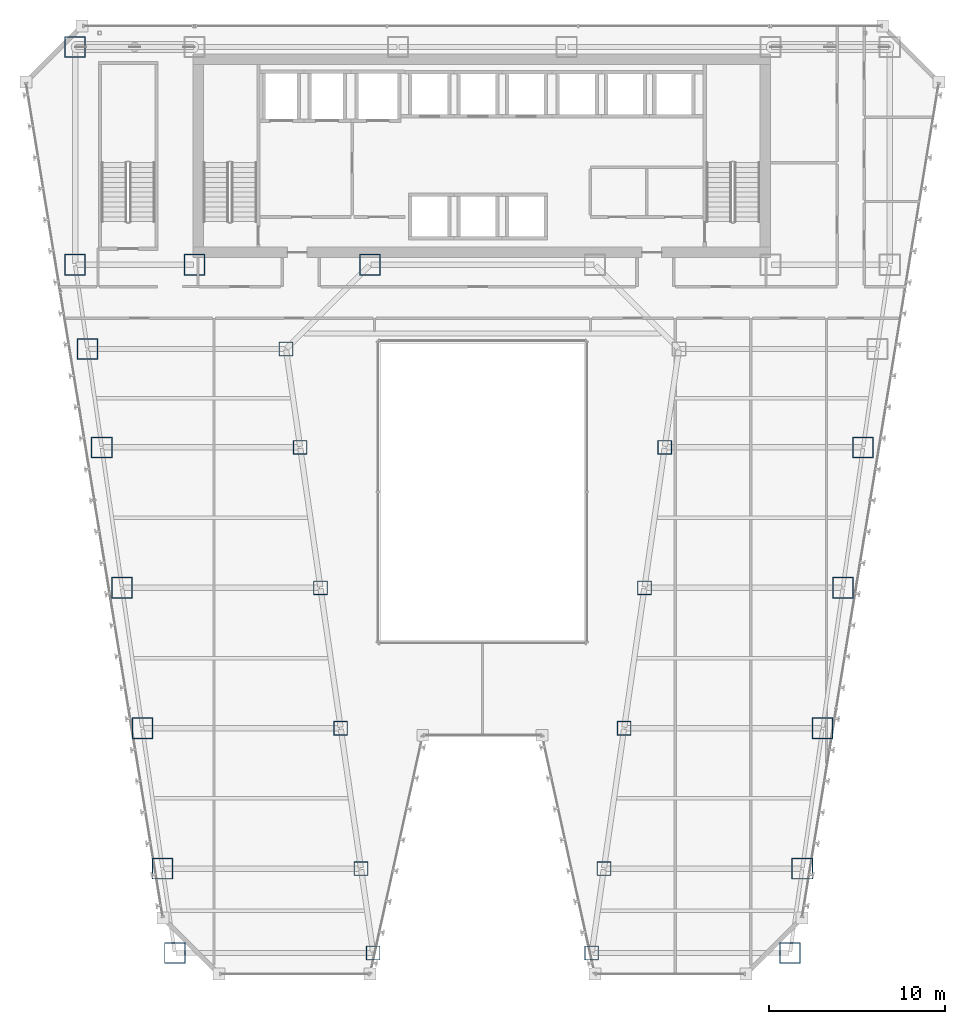
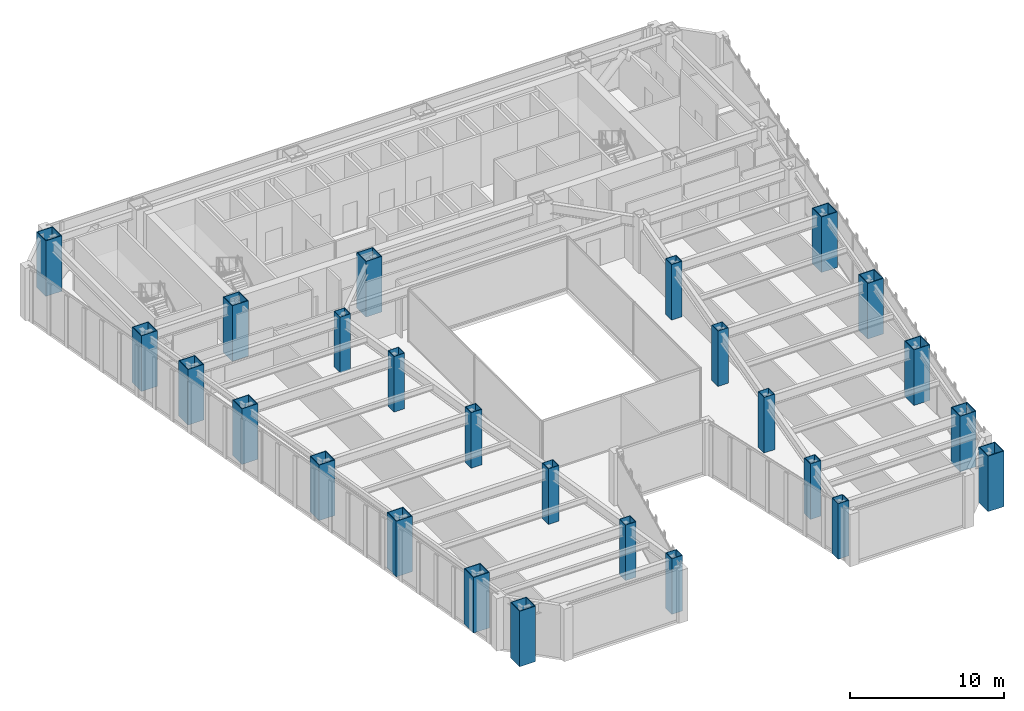
# One storey, part 1 of 47: 26 columns.
"""IFC4 building model written with IfcOpenShell, lengths in metres."""

from ifc_helpers import new_model, si_unit, direction, frame, origin, origin_2d, place, context, subcontext, project, spatial, hollow_rectangle, extrude, material, material_profile, profile_set, type_object, element, save


model = new_model("IFC4")

# Units and contexts
model_context = context("Model", 3, precision=1e-05, world=origin(), true_north=direction((0.0, 1.0)))
body_context = subcontext(model_context, "Body", "Model", "MODEL_VIEW")
ifc_project = project(units=[si_unit("LENGTHUNIT", "METRE"), si_unit("AREAUNIT", "SQUARE_METRE"), si_unit("VOLUMEUNIT", "CUBIC_METRE"), si_unit("PLANEANGLEUNIT", "RADIAN"), si_unit("MASSUNIT", "GRAM", prefix="KILO")], contexts=[model_context])

# Site, building, storey
site_placement = place(None, origin())
site = spatial("IfcSite", under=ifc_project, at=site_placement, CompositionType="ELEMENT")
building_placement = place(site_placement, origin())
building = spatial("IfcBuilding", under=site, at=building_placement, Name="Saevonmaru Cultural Tower", CompositionType="ELEMENT")
storey_placement = place(building_placement, frame((0.0, 0.0, 60.39990234375)))
storey = spatial("IfcBuildingStorey", under=building, at=storey_placement, Name="L12", CompositionType="ELEMENT", Elevation=60.39990234375)

# Columns
ifc_material_1 = material(Name="Steel HSA600 (600 MPa)", Category="steel")
ifc_material_profile_1 = material_profile(ifc_material_1, hollow_rectangle(XDim=1.199951171875, YDim=1.199951171875, WallThickness=0.054931640625, at=origin_2d()), Name="BOX-1200x1200x55")
ifc_profile_set_1 = profile_set([ifc_material_profile_1], Name="Steel HSA600 (600 MPa)")
column_type_1 = type_object("IfcColumnType", Name="COL-BOX-1200", PredefinedType="COLUMN", material=ifc_profile_set_1)
for number, where, z_axis, x_axis, name in (
    (1, (6.800048828125, 54.800048828125, 0.0), (0.0, 0.0, 1.0), (1.0, 0.0, 0.0), "L12 Column TC-N1N"),
    (2, (6.800048828125, 42.39990234375, 0.0), (0.0, 0.0, 1.0), (1.0, 0.0, 0.0), "L12 Column TC-S1C"),
    (3, (13.60009765625, 42.39990234375, 0.0), (0.0, 0.0, 1.0), (1.0, 0.0, 0.0), "L12 Column TC-S2C"),
    (4, (23.60009765625, 42.39990234375, 0.0), (0.0, 0.0, 1.0), (1.0, 0.0, 0.0), "L12 Column TC-S3C"),
    (5, (12.47705078125, 3.199951171875, 0.0), (0.0, 0.0, 1.0), (1.0, 0.0, 0.0), "L12 Column TC-WO-Y032"),
    (6, (47.52294921875, 3.199951171875, 0.0), (0.0, 0.0, 1.0), (1.0, 0.0, 0.0), "L12 Column TC-EO-Y032"),
    (7, (11.782958984375, 8.0, 0.0), (0.0, 0.0, 1.0), (1.0, 0.0, 0.0), "L12 Column TC-WO-Y080"),
    (8, (48.217041015625, 8.0, 0.0), (0.0, 0.0, 1.0), (1.0, 0.0, 0.0), "L12 Column TC-EO-Y080"),
    (9, (10.6279296875, 16.0, 0.0), (0.0, 0.0, 1.0), (1.0, 0.0, 0.0), "L12 Column TC-WO-Y160"),
    (10, (49.3720703125, 16.0, 0.0), (0.0, 0.0, 1.0), (1.0, 0.0, 0.0), "L12 Column TC-EO-Y160"),
    (11, (9.471923828125, 24.0, 0.0), (0.0, 0.0, 1.0), (1.0, 0.0, 0.0), "L12 Column TC-WO-Y240"),
    (12, (50.528076171875, 24.0, 0.0), (0.0, 0.0, 1.0), (1.0, 0.0, 0.0), "L12 Column TC-EO-Y240"),
    (13, (8.31689453125, 32.0, 0.0), (0.0, 0.0, 1.0), (1.0, 0.0, 0.0), "L12 Column TC-WO-Y320"),
    (14, (51.68310546875, 32.0, 0.0), (0.0, 0.0, 1.0), (1.0, 0.0, 0.0), "L12 Column TC-EO-Y320"),
    (15, (7.508056640625, 37.60009765625, 0.0), (0.0, 0.0, 1.0), (1.0, 0.0, 0.0), "L12 Column TC-WO-Y376"),
):
    element("IfcColumn", number, at=place(storey_placement, frame(where, z_axis=z_axis, x_axis=x_axis)), inside=storey, type_object=column_type_1, Name=name, PredefinedType="COLUMN", context=body_context, shape_type="SweptSolid", body=[
        extrude(hollow_rectangle(XDim=1.199951171875, YDim=1.199951171875, WallThickness=0.054931640625, at=origin_2d()), origin(), (0.0, 0.0, 1.0), 4.400146484375),
    ])
ifc_material_2 = material(Name="Steel SM420", Category="steel")
ifc_material_profile_2 = material_profile(ifc_material_2, hollow_rectangle(XDim=0.800048828125, YDim=0.800048828125, WallThickness=0.035888671875, at=origin_2d()), Name="BOX-800x800x36")
ifc_profile_set_2 = profile_set([ifc_material_profile_2], Name="Steel SM420")
column_type_2 = type_object("IfcColumnType", Name="COL-BOX-800", PredefinedType="COLUMN", material=ifc_profile_set_2)
for number, where, z_axis, x_axis, name in (
    (16, (23.777099609375, 3.199951171875, 0.0), (0.0, 0.0, 1.0), (1.0, 0.0, 0.0), "L12 Column TC-WI-Y032"),
    (17, (36.222900390625, 3.199951171875, 0.0), (0.0, 0.0, 1.0), (1.0, 0.0, 0.0), "L12 Column TC-EI-Y032"),
    (18, (23.0830078125, 8.0, 0.0), (0.0, 0.0, 1.0), (1.0, 0.0, 0.0), "L12 Column TC-WI-Y080"),
    (19, (36.9169921875, 8.0, 0.0), (0.0, 0.0, 1.0), (1.0, 0.0, 0.0), "L12 Column TC-EI-Y080"),
    (20, (21.927978515625, 16.0, 0.0), (0.0, 0.0, 1.0), (1.0, 0.0, 0.0), "L12 Column TC-WI-Y160"),
    (21, (38.072021484375, 16.0, 0.0), (0.0, 0.0, 1.0), (1.0, 0.0, 0.0), "L12 Column TC-EI-Y160"),
    (22, (20.77197265625, 24.0, 0.0), (0.0, 0.0, 1.0), (1.0, 0.0, 0.0), "L12 Column TC-WI-Y240"),
    (23, (39.22802734375, 24.0, 0.0), (0.0, 0.0, 1.0), (1.0, 0.0, 0.0), "L12 Column TC-EI-Y240"),
    (24, (19.616943359375, 32.0, 0.0), (0.0, 0.0, 1.0), (1.0, 0.0, 0.0), "L12 Column TC-WI-Y320"),
    (25, (40.383056640625, 32.0, 0.0), (0.0, 0.0, 1.0), (1.0, 0.0, 0.0), "L12 Column TC-EI-Y320"),
    (26, (18.80810546875, 37.60009765625, 0.0), (0.0, 0.0, 1.0), (1.0, 0.0, 0.0), "L12 Column TC-WI-Y376"),
):
    element("IfcColumn", number, at=place(storey_placement, frame(where, z_axis=z_axis, x_axis=x_axis)), inside=storey, type_object=column_type_2, Name=name, PredefinedType="COLUMN", context=body_context, shape_type="SweptSolid", body=[
        extrude(hollow_rectangle(XDim=0.800048828125, YDim=0.800048828125, WallThickness=0.035888671875, at=origin_2d()), origin(), (0.0, 0.0, 1.0), 4.400146484375),
    ])

save(model, "model.ifc")
